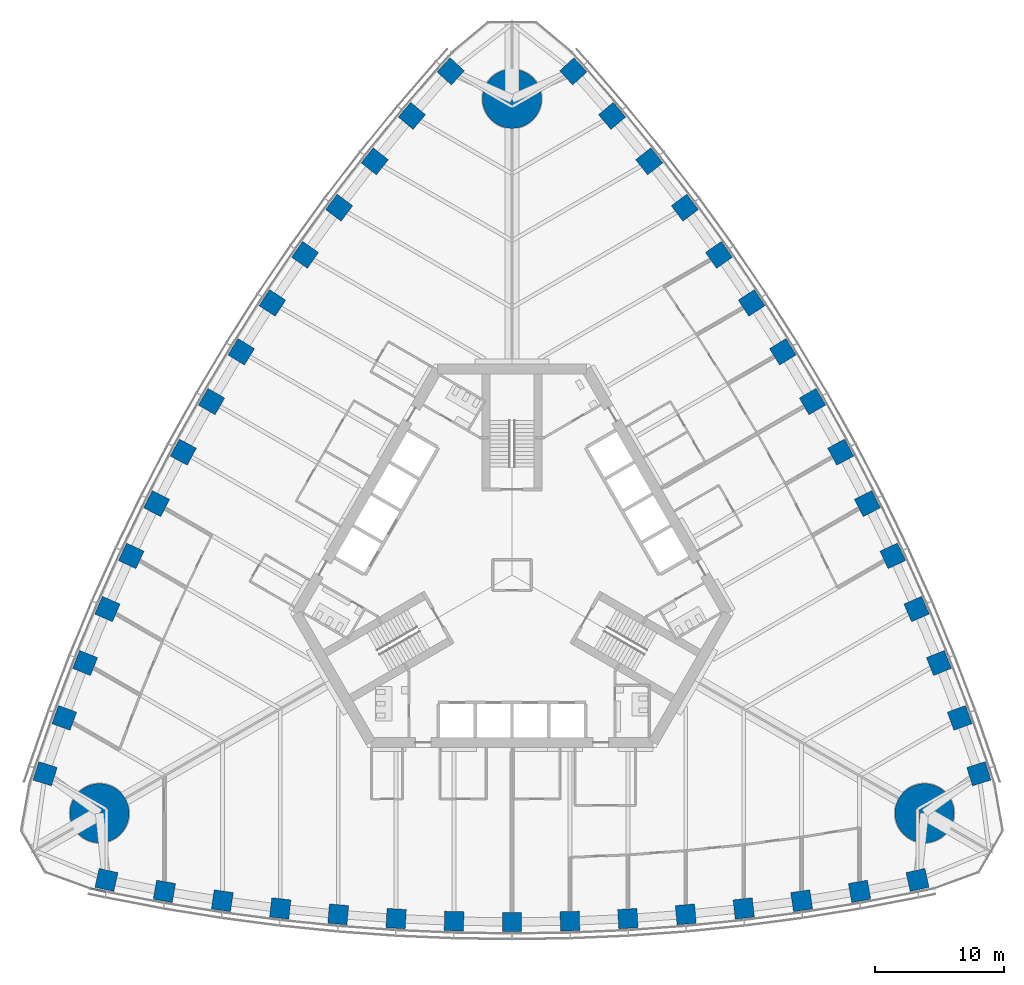
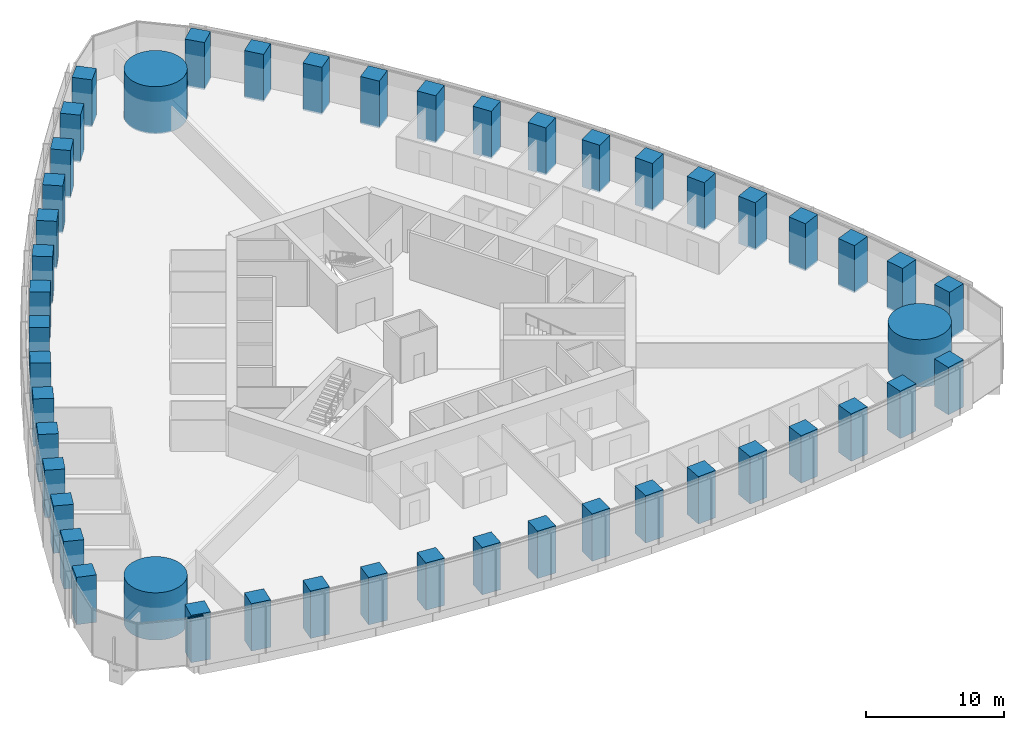
# One storey, part 1 of 19: 48 columns, 1 member, 1 element without a shape of its own.
"""IFC4 building model written with IfcOpenShell, lengths in metres."""

from ifc_helpers import new_model, si_unit, direction, frame, origin, origin_2d, place, context, subcontext, project, spatial, rectangle, circle, extrude, material, material_profile, profile_set, type_object, element, aggregate, save


model = new_model("IFC4")

# Units and contexts
model_context = context("Model", 3, precision=1e-05, world=origin(), true_north=direction((0.0, 1.0)))
body_context = subcontext(model_context, "Body", "Model", "MODEL_VIEW")
ifc_project = project(units=[si_unit("LENGTHUNIT", "METRE"), si_unit("AREAUNIT", "SQUARE_METRE"), si_unit("VOLUMEUNIT", "CUBIC_METRE"), si_unit("PLANEANGLEUNIT", "RADIAN"), si_unit("MASSUNIT", "GRAM", prefix="KILO")], contexts=[model_context])

# Site, building, storey
site_placement = place(None, origin())
site = spatial("IfcSite", under=ifc_project, at=site_placement, CompositionType="ELEMENT")
building_placement = place(site_placement, origin())
building = spatial("IfcBuilding", under=site, at=building_placement, Name="Trefoil Bronze Tower", CompositionType="ELEMENT")
storey_placement = place(building_placement, frame((0.0, 0.0, 45.89990234375)))
storey = spatial("IfcBuildingStorey", under=building, at=storey_placement, Name="L10", CompositionType="ELEMENT", Elevation=45.89990234375)

# Columns
ifc_material_1 = material(Name="Concrete B80", Category="concrete")
ifc_material_profile_1 = material_profile(ifc_material_1, circle(Radius=2.300048828125, at=origin_2d()), Name="RC D4600")
ifc_profile_set_1 = profile_set([ifc_material_profile_1], Name="Concrete B80")
column_type_1 = type_object("IfcColumnType", Name="Mega column RC D4600", PredefinedType="COLUMN", material=ifc_profile_set_1)
for number, where, z_axis, x_axis, name in (
    (1, (32.04296875, -18.5, 0.0), (0.0, 0.0, 1.0), (1.0, 0.0, 0.0), "Mega column K1 L10"),
    (2, (0.0, 37.0, 0.0), (0.0, 0.0, 1.0), (1.0, 0.0, 0.0), "Mega column K2 L10"),
    (3, (-32.04296875, -18.5, 0.0), (0.0, 0.0, 1.0), (1.0, 0.0, 0.0), "Mega column K3 L10"),
):
    element("IfcColumn", number, at=place(storey_placement, frame(where, z_axis=z_axis, x_axis=x_axis)), inside=storey, type_object=column_type_1, Name=name, PredefinedType="COLUMN", context=body_context, shape_type="SweptSolid", body=[
        extrude(circle(Radius=2.300048828125, at=origin_2d()), origin(), (0.0, 0.0, 1.0), 4.2001953125),
    ])
ifc_material_2 = material(Name="Concrete B80", Category="concrete")
ifc_material_profile_2 = material_profile(ifc_material_2, rectangle(XDim=1.5, YDim=1.5, at=origin_2d()), Name="RC 1500x1500")
ifc_profile_set_2 = profile_set([ifc_material_profile_2], Name="Concrete B80")
column_type_2 = type_object("IfcColumnType", Name="Tube column RC 1500x1500", PredefinedType="COLUMN", material=ifc_profile_set_2)
for number, where, z_axis, x_axis, name in (
    (4, (-31.5, -23.684814453125, 0.0), (0.0, 0.0, 1.0), (0.976229647342, -0.216738726697, 0.0), "Tube column F1/-7 L10"),
    (5, (-27.0, -24.56787109375, 0.0), (0.0, 0.0, 1.0), (0.984722470468, -0.174131146426, 0.0), "Tube column F1/-6 L10"),
    (6, (-22.5, -25.29931640625, 0.0), (0.0, 0.0, 1.0), (0.989415676546, -0.145108990094, 0.0), "Tube column F1/-5 L10"),
    (7, (-18.0, -25.895263671875, 0.0), (0.0, 0.0, 1.0), (0.993239048989, -0.116086999973, 0.0), "Tube column F1/-4 L10"),
    (8, (-13.5, -26.35693359375, 0.0), (0.0, 0.0, 1.0), (0.996202620701, -0.087065139456, 0.0), "Tube column F1/-3 L10"),
    (9, (-9.0, -26.68603515625, 0.0), (0.0, 0.0, 1.0), (0.998314062162, -0.058043374207, 0.0), "Tube column F1/-2 L10"),
    (10, (-4.5, -26.883056640625, 0.0), (0.0, 0.0, 1.0), (0.999578782577, -0.029021671584, 0.0), "Tube column F1/-1 L10"),
    (11, (0.0, -26.94873046875, 0.0), (0.0, 0.0, 1.0), (1.0, 0.0, 0.0), "Tube column F1/+0 L10"),
    (12, (4.5, -26.883056640625, 0.0), (0.0, 0.0, 1.0), (0.999578782577, 0.029021671584, 0.0), "Tube column F1/+1 L10"),
    (13, (9.0, -26.68603515625, 0.0), (0.0, 0.0, 1.0), (0.998314062162, 0.058043374207, 0.0), "Tube column F1/+2 L10"),
    (14, (13.5, -26.35693359375, 0.0), (0.0, 0.0, 1.0), (0.996202620701, 0.087065139456, 0.0), "Tube column F1/+3 L10"),
    (15, (18.0, -25.895263671875, 0.0), (0.0, 0.0, 1.0), (0.993239048989, 0.116086999973, 0.0), "Tube column F1/+4 L10"),
    (16, (22.5, -25.29931640625, 0.0), (0.0, 0.0, 1.0), (0.989415676546, 0.145108990094, 0.0), "Tube column F1/+5 L10"),
    (17, (27.0, -24.56787109375, 0.0), (0.0, 0.0, 1.0), (0.984722470468, 0.174131146426, 0.0), "Tube column F1/+6 L10"),
    (18, (31.5, -23.684814453125, 0.0), (0.0, 0.0, 1.0), (0.976229647342, 0.216738726697, 0.0), "Tube column F1/+7 L10"),
    (19, (36.26171875, -15.4375, 0.0), (0.0, 0.0, 1.0), (-0.300413580368, 0.953809037874, 0.0), "Tube column F2/-7 L10"),
    (20, (34.7763671875, -11.0986328125, 0.0), (0.0, 0.0, 1.0), (-0.341559238839, 0.939860248316, 0.0), "Tube column F2/-6 L10"),
    (21, (33.159912109375, -6.8359375, 0.0), (0.0, 0.0, 1.0), (-0.369039766534, 0.929413605838, 0.0), "Tube column F2/-5 L10"),
    (22, (31.42578125, -2.640869140625, 0.0), (0.0, 0.0, 1.0), (-0.396085233469, 0.918213748442, 0.0), "Tube column F2/-4 L10"),
    (23, (29.575927734375, 1.487060546875, 0.0), (0.0, 0.0, 1.0), (-0.422700687798, 0.906269346572, 0.0), "Tube column F2/-3 L10"),
    (24, (27.61083984375, 5.548828125, 0.0), (0.0, 0.0, 1.0), (-0.448889994497, 0.893587025891, 0.0), "Tube column F2/-2 L10"),
    (25, (25.531494140625, 9.54443359375, 0.0), (0.0, 0.0, 1.0), (-0.474655886437, 0.880171454588, 0.0), "Tube column F2/-1 L10"),
    (26, (23.33837890625, 13.474365234375, 0.0), (0.0, 0.0, 1.0), (-0.5, 0.866025403784, 0.0), "Tube column F2/+0 L10"),
    (27, (21.031494140625, 17.338623046875, 0.0), (0.0, 0.0, 1.0), (-0.524922896141, 0.851149783004, 0.0), "Tube column F2/+1 L10"),
    (28, (18.61083984375, 21.13720703125, 0.0), (0.0, 0.0, 1.0), (-0.549424067665, 0.835543651684, 0.0), "Tube column F2/+2 L10"),
    (29, (16.075927734375, 24.869873046875, 0.0), (0.0, 0.0, 1.0), (-0.573501932903, 0.819204207116, 0.0), "Tube column F2/+3 L10"),
    (30, (13.42578125, 28.5361328125, 0.0), (0.0, 0.0, 1.0), (-0.59715381552, 0.802126748469, 0.0), "Tube column F2/+4 L10"),
    (31, (10.659912109375, 32.13525390625, 0.0), (0.0, 0.0, 1.0), (-0.620375910011, 0.784304615744, 0.0), "Tube column F2/+5 L10"),
    (32, (7.7763671875, 35.666748046875, 0.0), (0.0, 0.0, 1.0), (-0.643163231629, 0.765729101889, 0.0), "Tube column F2/+6 L10"),
    (33, (4.76171875, 39.122314453125, 0.0), (0.0, 0.0, 1.0), (-0.675816066975, 0.737070311177, 0.0), "Tube column F2/+7 L10"),
    (34, (-4.76171875, 39.122314453125, 0.0), (0.0, 0.0, 1.0), (-0.675816066975, -0.737070311177, 0.0), "Tube column F3/-7 L10"),
    (35, (-7.7763671875, 35.666748046875, 0.0), (0.0, 0.0, 1.0), (-0.643163231629, -0.765729101889, 0.0), "Tube column F3/-6 L10"),
    (36, (-10.659912109375, 32.13525390625, 0.0), (0.0, 0.0, 1.0), (-0.620375910011, -0.784304615744, 0.0), "Tube column F3/-5 L10"),
    (37, (-13.42578125, 28.5361328125, 0.0), (0.0, 0.0, 1.0), (-0.59715381552, -0.802126748469, 0.0), "Tube column F3/-4 L10"),
    (38, (-16.075927734375, 24.869873046875, 0.0), (0.0, 0.0, 1.0), (-0.573501932903, -0.819204207116, 0.0), "Tube column F3/-3 L10"),
    (39, (-18.61083984375, 21.13720703125, 0.0), (0.0, 0.0, 1.0), (-0.549424067665, -0.835543651684, 0.0), "Tube column F3/-2 L10"),
    (40, (-21.031494140625, 17.338623046875, 0.0), (0.0, 0.0, 1.0), (-0.524922896141, -0.851149783004, 0.0), "Tube column F3/-1 L10"),
    (41, (-23.33837890625, 13.474365234375, 0.0), (0.0, 0.0, 1.0), (-0.5, -0.866025403784, 0.0), "Tube column F3/+0 L10"),
    (42, (-25.531494140625, 9.54443359375, 0.0), (0.0, 0.0, 1.0), (-0.474655886437, -0.880171454588, 0.0), "Tube column F3/+1 L10"),
    (43, (-27.61083984375, 5.548828125, 0.0), (0.0, 0.0, 1.0), (-0.448889994497, -0.893587025891, 0.0), "Tube column F3/+2 L10"),
    (44, (-29.575927734375, 1.487060546875, 0.0), (0.0, 0.0, 1.0), (-0.422700687798, -0.906269346572, 0.0), "Tube column F3/+3 L10"),
    (45, (-31.42578125, -2.640869140625, 0.0), (0.0, 0.0, 1.0), (-0.396085233469, -0.918213748442, 0.0), "Tube column F3/+4 L10"),
    (46, (-33.159912109375, -6.8359375, 0.0), (0.0, 0.0, 1.0), (-0.369039766534, -0.929413605838, 0.0), "Tube column F3/+5 L10"),
    (47, (-34.7763671875, -11.0986328125, 0.0), (0.0, 0.0, 1.0), (-0.341559238839, -0.939860248316, 0.0), "Tube column F3/+6 L10"),
    (48, (-36.26171875, -15.4375, 0.0), (0.0, 0.0, 1.0), (-0.300413580368, -0.953809037874, 0.0), "Tube column F3/+7 L10"),
):
    element("IfcColumn", number, at=place(storey_placement, frame(where, z_axis=z_axis, x_axis=x_axis)), inside=storey, type_object=column_type_2, Name=name, PredefinedType="COLUMN", context=body_context, shape_type="SweptSolid", body=[
        extrude(rectangle(XDim=1.5, YDim=1.5, at=origin_2d()), origin(), (0.0, 0.0, 1.0), 4.2001953125),
    ])

# Curtain wall, member
ifc_material_3 = material(Name="Tinted solar-control glass", Category="glass")
curtain_wall_type = type_object("IfcCurtainWallType", Name="Bronze office curtain wall", PredefinedType="USERDEFINED", material=ifc_material_3)
curtain_wall_placement = place(storey_placement, origin())
curtain_wall = element("IfcCurtainWall", 49, at=curtain_wall_placement, inside=storey, type_object=curtain_wall_type, Name="CW-A L10 F1", ObjectType="CURTAIN WALL", PredefinedType="USERDEFINED")
ifc_material_4 = material(Name="Bronze-finish aluminium", Category="aluminium")
ifc_material_profile_3 = material_profile(ifc_material_4, rectangle(XDim=0.1201171875, YDim=0.10009765625, at=origin_2d()), Name="CW-A transom")
ifc_profile_set_3 = profile_set([ifc_material_profile_3], Name="Bronze-finish aluminium")
member_type = type_object("IfcMemberType", Name="Bronze office curtain wall transom", PredefinedType="USERDEFINED", material=ifc_profile_set_3)
member_placement = place(storey_placement, frame((-32.743896484375, -24.354736328125, 4.130126953125), z_axis=(0.978266371807, -0.207352129942, 0.0), x_axis=(0.207352129942, 0.978266371807, 0.0)))
member = element("IfcMember", 50, at=member_placement, type_object=member_type, Name="CW-A L10 F1 transom 1", ObjectType="TRANSOM", PredefinedType="USERDEFINED", context=body_context, shape_type="SweptSolid", body=[
    extrude(rectangle(XDim=0.1201171875, YDim=0.10009765625, at=origin_2d()), origin(), (0.0, 0.0, 1.0), 1.21044921875),
])
aggregate(curtain_wall, [member])

save(model, "model.ifc")
